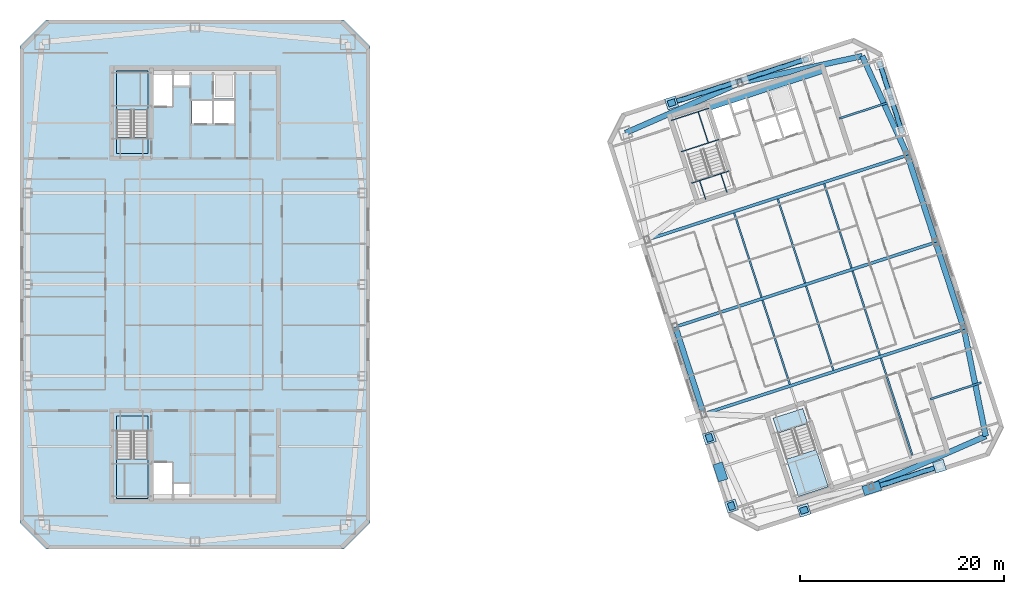
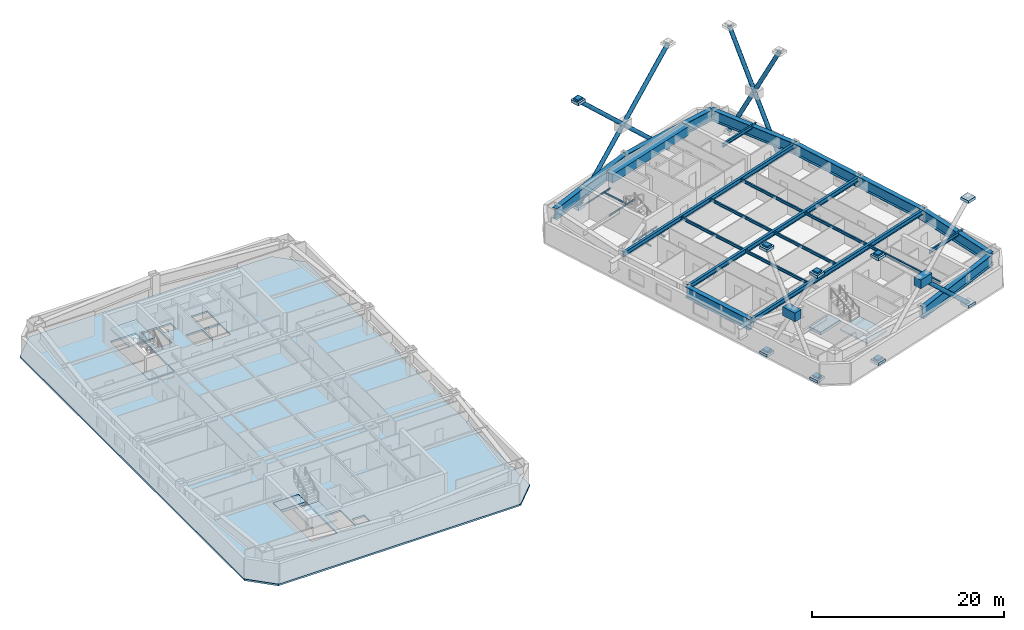
# One storey, part 4 of 15: 27 beams, 20 plates, 9 members, 7 slabs, 3 elements without a shape of their own.
"""IFC4 building model written with IfcOpenShell, lengths in metres."""

from ifc_helpers import new_model, si_unit, direction, frame, origin, origin_2d, place, context, subcontext, project, spatial, polyline, rectangle, hollow_circle, i_section, outline, extrude, material, layer, layer_set, material_profile, profile_set, type_object, element, aggregate, save


model = new_model("IFC4")

# Units and contexts
model_context = context("Model", 3, precision=1e-05, world=origin(), true_north=direction((0.0, 1.0)))
body_context = subcontext(model_context, "Body", "Model", "MODEL_VIEW")
ifc_project = project(units=[si_unit("LENGTHUNIT", "METRE"), si_unit("AREAUNIT", "SQUARE_METRE"), si_unit("VOLUMEUNIT", "CUBIC_METRE"), si_unit("PLANEANGLEUNIT", "RADIAN"), si_unit("MASSUNIT", "GRAM", prefix="KILO")], contexts=[model_context])

# Site, building, storey
site_placement = place(None, origin())
site = spatial("IfcSite", under=ifc_project, at=site_placement, CompositionType="ELEMENT")
building_placement = place(site_placement, origin())
building = spatial("IfcBuilding", under=site, at=building_placement, Name="Qiaolan Cultural Towers", CompositionType="ELEMENT")
storey_placement = place(building_placement, frame((0.0, 0.0, 212.75)))
storey = spatial("IfcBuildingStorey", under=building, at=storey_placement, Name="L57", CompositionType="ELEMENT", Elevation=212.75)

# Beams
ifc_material_1 = material(Name="Steel Q420GJB", Category="steel")
ifc_material_profile_1 = material_profile(ifc_material_1, i_section(OverallWidth=0.550048828125, OverallDepth=1.39990234375, WebThickness=0.031982421875, FlangeThickness=0.050048828125, at=origin_2d()), Name="BH1400x550x32x50")
ifc_profile_set_1 = profile_set([ifc_material_profile_1], Name="Steel Q420GJB")
beam_type_1 = type_object("IfcBeamType", Name="BM-BH1400x550x32x50", PredefinedType="BEAM", material=ifc_profile_set_1)
beam_1_placement = place(storey_placement, frame((96.443115234375, 14.17041015625, 2.469970703125), z_axis=(0.916042038824, 0.401082264762, 0.0), x_axis=(-0.401082264762, 0.916042038824, 0.0)))
element("IfcBeam", 1, at=beam_1_placement, inside=storey, type_object=beam_type_1, Name="L57 T2 Perimeter Spandrel Beam 2", PredefinedType="BEAM", context=body_context, shape_type="SweptSolid", body=[
    extrude(i_section(OverallWidth=0.550048828125, OverallDepth=1.39990234375, WebThickness=0.031982421875, FlangeThickness=0.050048828125, at=origin_2d()), origin(), (0.0, 0.0, 1.0), 12.299560546875),
])
beam_2_placement = place(storey_placement, frame((107.7099609375, 19.103515625, 2.469970703125), z_axis=(-0.199578538116, 0.979881833245, 0.0), x_axis=(-0.979881833245, -0.199578538116, 0.0)))
element("IfcBeam", 2, at=beam_2_placement, inside=storey, type_object=beam_type_1, Name="L57 T2 Perimeter Spandrel Beam 3", PredefinedType="BEAM", context=body_context, shape_type="SweptSolid", body=[
    extrude(i_section(OverallWidth=0.550048828125, OverallDepth=1.39990234375, WebThickness=0.031982421875, FlangeThickness=0.050048828125, at=origin_2d()), origin(), (0.0, 0.0, 1.0), 10.70849609375),
])
for number, where, z_axis, x_axis, name in (
    (3, (105.57275390625, 29.5966796875, 2.469970703125), (-0.309000197986, 0.951061973609, 0.0), (-0.951061973609, -0.309000197986, 0.0), "L57 T2 Perimeter Spandrel Beam 4"),
    (4, (102.791748046875, 38.15625, 2.469970703125), (-0.309024734286, 0.951054001411, 0.0), (-0.951054001411, -0.309024734286, 0.0), "L57 T2 Perimeter Spandrel Beam 5"),
):
    element("IfcBeam", number, at=place(storey_placement, frame(where, z_axis=z_axis, x_axis=x_axis)), inside=storey, type_object=beam_type_1, Name=name, PredefinedType="BEAM", context=body_context, shape_type="SweptSolid", body=[
        extrude(i_section(OverallWidth=0.550048828125, OverallDepth=1.39990234375, WebThickness=0.031982421875, FlangeThickness=0.050048828125, at=origin_2d()), origin(), (0.0, 0.0, 1.0), 9.0),
    ])
beam_3_placement = place(storey_placement, frame((100.010498046875, 46.7158203125, 2.469970703125), z_axis=(-0.414500208282, 0.910049216985, 0.0), x_axis=(-0.910049216985, -0.414500208282, 0.0)))
element("IfcBeam", 5, at=beam_3_placement, inside=storey, type_object=beam_type_1, Name="L57 T2 Perimeter Spandrel Beam 6", PredefinedType="BEAM", context=body_context, shape_type="SweptSolid", body=[
    extrude(i_section(OverallWidth=0.550048828125, OverallDepth=1.39990234375, WebThickness=0.031982421875, FlangeThickness=0.050048828125, at=origin_2d()), origin(), (0.0, 0.0, 1.0), 10.70849609375),
])
beam_4_placement = place(storey_placement, frame((95.57177734375, 56.461181640625, 2.469970703125), z_axis=(-0.976843395078, -0.213955559619, 0.0), x_axis=(0.213955559619, -0.976843395078, 0.0)))
element("IfcBeam", 6, at=beam_4_placement, inside=storey, type_object=beam_type_1, Name="L57 T2 Perimeter Spandrel Beam 7", PredefinedType="BEAM", context=body_context, shape_type="SweptSolid", body=[
    extrude(i_section(OverallWidth=0.550048828125, OverallDepth=1.39990234375, WebThickness=0.031982421875, FlangeThickness=0.050048828125, at=origin_2d()), origin(), (0.0, 0.0, 1.0), 12.2998046875),
])
beam_5_placement = place(storey_placement, frame((83.556884765625, 53.82958984375, 2.469970703125), z_axis=(-0.916042038824, -0.401082264762, 0.0), x_axis=(0.401082264762, -0.916042038824, 0.0)))
element("IfcBeam", 7, at=beam_5_placement, inside=storey, type_object=beam_type_1, Name="L57 T2 Perimeter Spandrel Beam 8", PredefinedType="BEAM", context=body_context, shape_type="SweptSolid", body=[
    extrude(i_section(OverallWidth=0.550048828125, OverallDepth=1.39990234375, WebThickness=0.031982421875, FlangeThickness=0.050048828125, at=origin_2d()), origin(), (0.0, 0.0, 1.0), 12.299560546875),
])
beam_6_placement = place(storey_placement, frame((77.208251953125, 29.84375, 2.469970703125), z_axis=(0.309024734286, -0.951054001411, 0.0), x_axis=(0.951054001411, 0.309024734286, 0.0)))
element("IfcBeam", 8, at=beam_6_placement, inside=storey, type_object=beam_type_1, Name="L57 T2 Perimeter Spandrel Beam 11", PredefinedType="BEAM", context=body_context, shape_type="SweptSolid", body=[
    extrude(i_section(OverallWidth=0.550048828125, OverallDepth=1.39990234375, WebThickness=0.031982421875, FlangeThickness=0.050048828125, at=origin_2d()), origin(), (0.0, 0.0, 1.0), 9.0),
])
ifc_material_2 = material(Name="Steel Q355B", Category="steel")
ifc_material_profile_2 = material_profile(ifc_material_2, i_section(OverallWidth=0.300048828125, OverallDepth=0.587890625, WebThickness=0.011962890625, FlangeThickness=0.02001953125, at=origin_2d()), Name="HM588x300x12x20")
ifc_profile_set_2 = profile_set([ifc_material_profile_2], Name="Steel Q355B")
beam_type_2 = type_object("IfcBeamType", Name="BM-HM588x300x12x20", PredefinedType="BEAM", material=ifc_profile_set_2)
beam_7_placement = place(storey_placement, frame((79.989501953125, 21.2841796875, 2.8759765625), z_axis=(0.951056543098, 0.309016911884, 0.0), x_axis=(-0.309016911884, 0.951056543098, 0.0)))
element("IfcBeam", 9, at=beam_7_placement, inside=storey, type_object=beam_type_2, Name="L57 T2 Primary Transverse Girder V1", PredefinedType="BEAM", context=body_context, shape_type="SweptSolid", body=[
    extrude(i_section(OverallWidth=0.300048828125, OverallDepth=0.587890625, WebThickness=0.011962890625, FlangeThickness=0.02001953125, at=origin_2d()), origin(), (0.0, 0.0, 1.0), 26.89990234375),
])
beam_8_placement = place(storey_placement, frame((77.208251953125, 29.84375, 2.8759765625), z_axis=(0.95105740976, 0.309014244561, 0.0), x_axis=(-0.309014244561, 0.95105740976, 0.0)))
element("IfcBeam", 10, at=beam_8_placement, inside=storey, type_object=beam_type_2, Name="L57 T2 Primary Transverse Girder V2", PredefinedType="BEAM", context=body_context, shape_type="SweptSolid", body=[
    extrude(i_section(OverallWidth=0.300048828125, OverallDepth=0.587890625, WebThickness=0.011962890625, FlangeThickness=0.02001953125, at=origin_2d()), origin(), (0.0, 0.0, 1.0), 26.900146484375),
])
beam_9_placement = place(storey_placement, frame((74.42724609375, 38.4033203125, 2.8759765625), z_axis=(0.951056543098, 0.309016911884, 0.0), x_axis=(-0.309016911884, 0.951056543098, 0.0)))
element("IfcBeam", 11, at=beam_9_placement, inside=storey, type_object=beam_type_2, Name="L57 T2 Primary Transverse Girder V3", PredefinedType="BEAM", context=body_context, shape_type="SweptSolid", body=[
    extrude(i_section(OverallWidth=0.300048828125, OverallDepth=0.587890625, WebThickness=0.011962890625, FlangeThickness=0.02001953125, at=origin_2d()), origin(), (0.0, 0.0, 1.0), 26.89990234375),
])
ifc_material_3 = material(Name="Steel Q355B", Category="steel")
ifc_material_profile_3 = material_profile(ifc_material_3, i_section(OverallWidth=0.175048828125, OverallDepth=0.35009765625, WebThickness=0.007080078125, FlangeThickness=0.010986328125, at=origin_2d()), Name="HN350x175x7x11")
ifc_profile_set_3 = profile_set([ifc_material_profile_3], Name="Steel Q355B")
beam_type_3 = type_object("IfcBeamType", Name="BM-JST-HN350x175x7x11", PredefinedType="JOIST", material=ifc_profile_set_3)
for number, where, z_axis, x_axis, name in (
    (12, (88.455078125, 24.192626953125, 2.9951171875), (-0.309020714809, 0.951055307445, 0.0), (-0.951055307445, -0.309020714809, 0.0), "L57 T2 Secondary Floor Joist U1-2"),
    (13, (85.673828125, 32.752197265625, 2.9951171875), (-0.309020714809, 0.951055307445, 0.0), (-0.951055307445, -0.309020714809, 0.0), "L57 T2 Secondary Floor Joist U1-3"),
    (14, (92.73486328125, 25.583251953125, 2.9951171875), (-0.309020714809, 0.951055307445, 0.0), (-0.951055307445, -0.309020714809, 0.0), "L57 T2 Secondary Floor Joist U2-2"),
    (15, (89.95361328125, 34.142578125, 2.9951171875), (-0.309020714809, 0.951055307445, 0.0), (-0.951055307445, -0.309020714809, 0.0), "L57 T2 Secondary Floor Joist U2-3"),
):
    element("IfcBeam", number, at=place(storey_placement, frame(where, z_axis=z_axis, x_axis=x_axis)), inside=storey, type_object=beam_type_3, Name=name, PredefinedType="JOIST", context=body_context, shape_type="SweptSolid", body=[
        extrude(i_section(OverallWidth=0.175048828125, OverallDepth=0.35009765625, WebThickness=0.007080078125, FlangeThickness=0.010986328125, at=origin_2d()), origin(), (0.0, 0.0, 1.0), 8.699951171875),
    ])
beam_10_placement = place(storey_placement, frame((100.498291015625, 17.222900390625, 2.9951171875), z_axis=(-0.309025649293, 0.951053704098, 0.0), x_axis=(-0.951053704098, -0.309025649293, 0.0)))
element("IfcBeam", 16, at=beam_10_placement, inside=storey, type_object=beam_type_3, Name="L57 T2 Secondary Floor Joist U3-1", PredefinedType="JOIST", context=body_context, shape_type="SweptSolid", body=[
    extrude(i_section(OverallWidth=0.175048828125, OverallDepth=0.35009765625, WebThickness=0.007080078125, FlangeThickness=0.010986328125, at=origin_2d()), origin(), (0.0, 0.0, 1.0), 10.050048828125),
])
for number, where, z_axis, x_axis, name in (
    (17, (97.2998046875, 27.06640625, 2.9951171875), (-0.309020714809, 0.951055307445, 0.0), (-0.951055307445, -0.309020714809, 0.0), "L57 T2 Secondary Floor Joist U3-2"),
    (18, (94.518798828125, 35.6259765625, 2.9951171875), (-0.309020714809, 0.951055307445, 0.0), (-0.951055307445, -0.309020714809, 0.0), "L57 T2 Secondary Floor Joist U3-3"),
):
    element("IfcBeam", number, at=place(storey_placement, frame(where, z_axis=z_axis, x_axis=x_axis)), inside=storey, type_object=beam_type_3, Name=name, PredefinedType="JOIST", context=body_context, shape_type="SweptSolid", body=[
        extrude(i_section(OverallWidth=0.175048828125, OverallDepth=0.35009765625, WebThickness=0.007080078125, FlangeThickness=0.010986328125, at=origin_2d()), origin(), (0.0, 0.0, 1.0), 8.699951171875),
    ])
ifc_material_4 = material(Name="Steel Q355B", Category="steel")
ifc_material_profile_4 = material_profile(ifc_material_4, i_section(OverallWidth=0.199951171875, OverallDepth=0.449951171875, WebThickness=0.009033203125, FlangeThickness=0.013916015625, at=origin_2d()), Name="HN450x200x9x14")
ifc_profile_set_4 = profile_set([ifc_material_profile_4], Name="Steel Q355B")
beam_type_4 = type_object("IfcBeamType", Name="BM-LNT-HN450x200x9x14", PredefinedType="LINTEL", material=ifc_profile_set_4)
for number, where, z_axis, x_axis, name in (
    (19, (102.279296875, 22.74365234375, 2.945068359375), (0.951060037126, 0.309006158161, 0.0), (-0.309006158161, 0.951060037126, 0.0), "L57 T2 Core Flank Tie Lintel ES"),
    (20, (93.31787109375, 50.32421875, 2.945068359375), (0.951060037126, 0.309006158161, 0.0), (-0.309006158161, 0.951060037126, 0.0), "L57 T2 Core Flank Tie Lintel EN"),
):
    element("IfcBeam", number, at=place(storey_placement, frame(where, z_axis=z_axis, x_axis=x_axis)), inside=storey, type_object=beam_type_4, Name=name, PredefinedType="LINTEL", context=body_context, shape_type="SweptSolid", body=[
        extrude(i_section(OverallWidth=0.199951171875, OverallDepth=0.449951171875, WebThickness=0.009033203125, FlangeThickness=0.013916015625, at=origin_2d()), origin(), (0.0, 0.0, 1.0), 5.25),
    ])
ifc_material_5 = material(Name="Concrete C50", Category="concrete")
ifc_material_profile_5 = material_profile(ifc_material_5, rectangle(XDim=0.89990234375, YDim=1.10009765625, at=origin_2d()), Name="RC900x1100")
ifc_profile_set_5 = profile_set([ifc_material_profile_5], Name="Concrete C50")
beam_type_5 = type_object("IfcBeamType", Name="BM-RC900x1100", PredefinedType="BEAM", material=ifc_profile_set_5)
beam_11_placement = place(storey_placement, frame((80.427978515625, 51.551025390625, 2.6201171875), z_axis=(0.951056266386, 0.309017763514, 0.0), x_axis=(-0.309017763514, 0.951056266386, 0.0)))
element("IfcBeam", 21, at=beam_11_placement, inside=storey, type_object=beam_type_5, Name="L57 T2 Core Header Girder N", PredefinedType="BEAM", context=body_context, shape_type="SweptSolid", body=[
    extrude(rectangle(XDim=0.89990234375, YDim=1.10009765625, at=origin_2d()), origin(), (0.0, 0.0, 1.0), 11.880126953125),
])
ifc_material_6 = material(Name="Steel Q355B", Category="steel")
ifc_material_profile_6 = material_profile(ifc_material_6, i_section(OverallWidth=0.10009765625, OverallDepth=0.199951171875, WebThickness=0.005615234375, FlangeThickness=0.008056640625, at=origin_2d()), Name="HN200x100x5.5x8")
ifc_profile_set_6 = profile_set([ifc_material_profile_6], Name="Steel Q355B")
beam_type_6 = type_object("IfcBeamType", Name="BM-STTRIM-200", PredefinedType="BEAM", material=ifc_profile_set_6)
beam_12_placement = place(storey_placement, frame((78.773193359375, 43.958251953125, -0.4599609375), z_axis=(0.951072048947, 0.3089691857, 0.0), x_axis=(-0.3089691857, 0.951072048947, 0.0)))
element("IfcBeam", 22, at=beam_12_placement, inside=storey, type_object=beam_type_6, Name="L57 ST-E2 Floor Landing Header Beam", PredefinedType="BEAM", context=body_context, shape_type="SweptSolid", body=[
    extrude(i_section(OverallWidth=0.10009765625, OverallDepth=0.199951171875, WebThickness=0.005615234375, FlangeThickness=0.008056640625, at=origin_2d()), origin(), (0.0, 0.0, 1.0), 3.920166015625),
])
for number, where, z_axis, x_axis, name in (
    (23, (80.18115234375, 42.375732421875, -0.4599609375), (-0.308969394428, 0.951071981138, 0.0), (-0.951071981138, -0.308969394428, 0.0), "L57 ST-E2 Floor Landing Stringer 1"),
    (24, (82.2734375, 43.0556640625, -0.4599609375), (-0.308969394428, 0.951071981138, 0.0), (-0.951071981138, -0.308969394428, 0.0), "L57 ST-E2 Floor Landing Stringer 2"),
):
    element("IfcBeam", number, at=place(storey_placement, frame(where, z_axis=z_axis, x_axis=x_axis)), inside=storey, type_object=beam_type_6, Name=name, PredefinedType="BEAM", context=body_context, shape_type="SweptSolid", body=[
        extrude(i_section(OverallWidth=0.10009765625, OverallDepth=0.199951171875, WebThickness=0.005615234375, FlangeThickness=0.008056640625, at=origin_2d()), origin(), (0.0, 0.0, 1.0), 1.93994140625),
    ])
for number, where, z_axis, x_axis, name in (
    (25, (77.769287109375, 47.0478515625, 1.425048828125), (0.951053746643, 0.309025518358, 0.0), (-0.309025518358, 0.951053746643, 0.0), "L57 ST-E2 Stair Landing Support Beam 1-1"),
    (26, (76.770751953125, 50.12109375, 1.425048828125), (0.951072048947, 0.3089691857, 0.0), (-0.3089691857, 0.951072048947, 0.0), "L57 ST-E2 Stair Landing Support Beam 1-2"),
):
    element("IfcBeam", number, at=place(storey_placement, frame(where, z_axis=z_axis, x_axis=x_axis)), inside=storey, type_object=beam_type_6, Name=name, PredefinedType="BEAM", context=body_context, shape_type="SweptSolid", body=[
        extrude(i_section(OverallWidth=0.10009765625, OverallDepth=0.199951171875, WebThickness=0.005615234375, FlangeThickness=0.008056640625, at=origin_2d()), origin(), (0.0, 0.0, 1.0), 3.920166015625),
    ])
beam_13_placement = place(storey_placement, frame((80.44189453125, 47.916259765625, 1.425048828125), z_axis=(-0.309033108495, 0.951051280349, 0.0), x_axis=(-0.951051280349, -0.309033108495, 0.0)))
element("IfcBeam", 27, at=beam_13_placement, inside=storey, type_object=beam_type_6, Name="L57 ST-E2 Stair Landing Trimmer 1", PredefinedType="BEAM", context=body_context, shape_type="SweptSolid", body=[
    extrude(i_section(OverallWidth=0.10009765625, OverallDepth=0.199951171875, WebThickness=0.005615234375, FlangeThickness=0.008056640625, at=origin_2d()), origin(), (0.0, 0.0, 1.0), 3.231201171875),
])

# Members
ifc_material_7 = material(Name="Steel Q355B", Category="steel")
ifc_material_profile_7 = material_profile(ifc_material_7, hollow_circle(Radius=0.25, WallThickness=0.02490234375, at=origin_2d()), Name="CHS500x25")
ifc_profile_set_7 = profile_set([ifc_material_profile_7], Name="Steel Q355B")
member_type = type_object("IfcMemberType", Name="MBR-BRC-CHS500x25", PredefinedType="BRACE", material=ifc_profile_set_7)
for number, where, z_axis, x_axis, name in (
    (28, (99.459228515625, 49.06005859375, 0.14990234375), (-0.144310823552, 0.444122866209, 0.884267643825), (-0.951052389726, -0.30902969436, 0.0), "T2 EAST Perimeter Frame Diagonal E-Z4-M2-D1A"),
    (29, (98.369873046875, 52.41259765625, 6.824951171875), (-0.144310823552, 0.444122866209, 0.884267643825), (-0.951052389726, -0.30902969436, 0.0), "T2 EAST Perimeter Frame Diagonal E-Z4-M2-D1B"),
    (30, (97.280517578125, 55.76513671875, 0.14990234375), (0.144310823552, -0.444122866209, 0.884267643825), (0.951052389726, 0.30902969436, 0.0), "T2 EAST Perimeter Frame Diagonal E-Z4-M2-D2A"),
    (31, (98.369873046875, 52.41259765625, 6.824951171875), (0.144310823552, -0.444122866209, 0.884267643825), (0.951052389726, 0.30902969436, 0.0), "T2 EAST Perimeter Frame Diagonal E-Z4-M2-D2B"),
):
    element("IfcMember", number, at=place(storey_placement, frame(where, z_axis=z_axis, x_axis=x_axis)), inside=storey, type_object=member_type, Name=name, PredefinedType="BRACE", context=body_context, shape_type="SweptSolid", body=[
        extrude(hollow_circle(Radius=0.25, WallThickness=0.02490234375, at=origin_2d()), origin(), (0.0, 0.0, 1.0), 7.548583984375),
    ])
for number, where, z_axis, x_axis, name in (
    (32, (103.162109375, 16.143310546875, 0.14990234375), (-0.688275686288, -0.223636591628, 0.690118290259), (0.309019824916, -0.951055596592, 0.0), "T2 SOUTH Perimeter Frame Diagonal E-Z4-M2-D2A"),
    (33, (76.837890625, 51.856689453125, 0.14990234375), (0.688275686288, 0.223636591628, 0.690118290259), (-0.309019824916, 0.951055596592, 0.0), "T2 NORTH Perimeter Frame Diagonal E-Z4-M2-D1A"),
):
    element("IfcMember", number, at=place(storey_placement, frame(where, z_axis=z_axis, x_axis=x_axis)), inside=storey, type_object=member_type, Name=name, PredefinedType="BRACE", context=body_context, shape_type="SweptSolid", body=[
        extrude(hollow_circle(Radius=0.25, WallThickness=0.02490234375, at=origin_2d()), origin(), (0.0, 0.0, 1.0), 9.67236328125),
    ])
for number, where, z_axis, x_axis, name in (
    (34, (83.4951171875, 54.019775390625, 6.824951171875), (0.688288969768, 0.223632706448, 0.690106301016), (-0.309009574742, 0.951058927048, 0.0), "T2 NORTH Perimeter Frame Diagonal E-Z4-M2-D1B"),
    (35, (90.152587890625, 56.182861328125, 0.14990234375), (-0.688288969768, -0.223632706448, 0.690106301016), (0.309009574742, -0.951058927048, 0.0), "T2 NORTH Perimeter Frame Diagonal E-Z4-M2-D2A"),
):
    element("IfcMember", number, at=place(storey_placement, frame(where, z_axis=z_axis, x_axis=x_axis)), inside=storey, type_object=member_type, Name=name, PredefinedType="BRACE", context=body_context, shape_type="SweptSolid", body=[
        extrude(hollow_circle(Radius=0.25, WallThickness=0.02490234375, at=origin_2d()), origin(), (0.0, 0.0, 1.0), 9.672607421875),
    ])
member_placement = place(storey_placement, frame((83.4951171875, 54.019775390625, 6.824951171875), z_axis=(-0.688275686288, -0.223636591628, 0.690118290259), x_axis=(0.309019824916, -0.951055596592, 0.0)))
element("IfcMember", 36, at=member_placement, inside=storey, type_object=member_type, Name="T2 NORTH Perimeter Frame Diagonal E-Z4-M2-D2B", PredefinedType="BRACE", context=body_context, shape_type="SweptSolid", body=[
    extrude(hollow_circle(Radius=0.25, WallThickness=0.02490234375, at=origin_2d()), origin(), (0.0, 0.0, 1.0), 9.67236328125),
])

# Plates
ifc_material_8 = material(Name="Steel Q355B", Category="steel")
ifc_layer_1 = layer(ifc_material_8, 0.035888671875)
ifc_layer_set_1 = layer_set([ifc_layer_1], Name="Steel Q355B")
plate_type_1 = type_object("IfcPlateType", Name="PL-CONN-36", PredefinedType="USERDEFINED", material=ifc_layer_set_1)
for number, where, z_axis, x_axis, name in (
    (37, (82.719482421875, 12.23486328125, -0.22021484375), (0.0, 0.0, 1.0), (-0.309016994375, 0.951056516295, 0.0), "L57 Brace End Connection Gusset Plate GP-02-0572"),
    (38, (80.540771484375, 18.93994140625, 13.1298828125), (0.0, 0.0, 1.0), (-0.309016994375, 0.951056516295, 0.0), "L57 Brace End Connection Gusset Plate GP-02-0573"),
    (39, (80.540771484375, 18.93994140625, -0.22021484375), (0.0, 0.0, 1.0), (-0.309016994375, 0.951056516295, 0.0), "L57 Brace End Connection Gusset Plate GP-02-0574"),
    (40, (82.719482421875, 12.23486328125, 13.1298828125), (0.0, 0.0, 1.0), (-0.309016994375, 0.951056516295, 0.0), "L57 Brace End Connection Gusset Plate GP-02-0575"),
    (41, (89.847412109375, 11.817138671875, -0.22021484375), (0.0, 0.0, 1.0), (0.951056510902, 0.309017010974, 0.0), "L57 Brace End Connection Gusset Plate GP-02-0580"),
    (42, (89.847412109375, 11.817138671875, 13.1298828125), (0.0, 0.0, 1.0), (0.951056510902, 0.309017010974, 0.0), "L57 Brace End Connection Gusset Plate GP-02-0583"),
    (43, (76.837890625, 51.856689453125, -0.22021484375), (0.0, 0.0, 1.0), (0.951056510902, 0.309017010974, 0.0), "L57 Brace End Connection Gusset Plate GP-02-0584"),
    (44, (76.837890625, 51.856689453125, 13.1298828125), (0.0, 0.0, 1.0), (0.951056510902, 0.309017010974, 0.0), "L57 Brace End Connection Gusset Plate GP-02-0587"),
):
    element("IfcPlate", number, at=place(storey_placement, frame(where, z_axis=z_axis, x_axis=x_axis)), inside=storey, type_object=plate_type_1, Name=name, ObjectType="GUSSET_PLATE", PredefinedType="USERDEFINED", context=body_context, shape_type="SweptSolid", body=[
        extrude(rectangle(XDim=0.739990234375, YDim=0.6201171875, at=origin_2d()), origin(), (0.0, 0.0, 1.0), 0.739990234375),
    ])
ifc_material_9 = material(Name="Steel Q355B", Category="steel")
ifc_layer_2 = layer(ifc_material_9, 0.030029296875)
ifc_layer_set_2 = layer_set([ifc_layer_2], Name="Steel Q355B")
plate_type_2 = type_object("IfcPlateType", Name="PL-ENDCAP-30", PredefinedType="USERDEFINED", material=ifc_layer_set_2)
for number, where, z_axis, x_axis, name in (
    (45, (82.719482421875, 12.23486328125, -0.025146484375), (0.0, 0.0, 1.0), (-0.309016994375, 0.951056516295, 0.0), "Hollow Brace End Seal Cap Plate CP-01"),
    (46, (80.540771484375, 18.93994140625, -0.025146484375), (0.0, 0.0, 1.0), (-0.309016994375, 0.951056516295, 0.0), "Hollow Brace End Seal Cap Plate CP-01"),
    (47, (82.719482421875, 12.23486328125, 13.324951171875), (0.0, 0.0, 1.0), (-0.309016994375, 0.951056516295, 0.0), "Hollow Brace End Seal Cap Plate CP-01"),
    (48, (80.540771484375, 18.93994140625, 13.324951171875), (0.0, 0.0, 1.0), (-0.309016994375, 0.951056516295, 0.0), "Hollow Brace End Seal Cap Plate CP-01"),
    (49, (89.847412109375, 11.817138671875, -0.025146484375), (0.0, 0.0, 1.0), (0.951056516295, 0.309016994375, 0.0), "Hollow Brace End Seal Cap Plate CP-01"),
    (50, (103.162109375, 16.143310546875, -0.025146484375), (0.0, 0.0, 1.0), (0.951056516295, 0.309016994375, 0.0), "Hollow Brace End Seal Cap Plate CP-01"),
    (51, (89.847412109375, 11.817138671875, 13.324951171875), (0.0, 0.0, 1.0), (0.951056516295, 0.309016994375, 0.0), "Hollow Brace End Seal Cap Plate CP-01"),
    (52, (103.162109375, 16.143310546875, 13.324951171875), (0.0, 0.0, 1.0), (0.951056516295, 0.309016994375, 0.0), "Hollow Brace End Seal Cap Plate CP-01"),
    (53, (76.837890625, 51.856689453125, -0.025146484375), (0.0, 0.0, 1.0), (0.951056516295, 0.309016994375, 0.0), "Hollow Brace End Seal Cap Plate CP-01"),
    (54, (76.837890625, 51.856689453125, 13.324951171875), (0.0, 0.0, 1.0), (0.951056516295, 0.309016994375, 0.0), "Hollow Brace End Seal Cap Plate CP-01"),
):
    element("IfcPlate", number, at=place(storey_placement, frame(where, z_axis=z_axis, x_axis=x_axis)), inside=storey, type_object=plate_type_2, Name=name, ObjectType="BASE_PLATE", PredefinedType="USERDEFINED", context=body_context, shape_type="SweptSolid", body=[
        extrude(rectangle(XDim=1.10009765625, YDim=1.10009765625, at=origin_2d()), origin(), (0.0, 0.0, 1.0), 0.35009765625),
    ])
ifc_material_10 = material(Name="Steel Q390GJB", Category="steel")
ifc_layer_3 = layer(ifc_material_10, 0.0439453125)
ifc_layer_set_3 = layer_set([ifc_layer_3], Name="Steel Q390GJB")
plate_type_3 = type_object("IfcPlateType", Name="PL-NODE-ND10", PredefinedType="USERDEFINED", material=ifc_layer_set_3)
plate_1_placement = place(storey_placement, frame((81.630126953125, 15.58740234375, 6.27490234375), z_axis=(0.0, 0.0, 1.0), x_axis=(-0.309016994375, 0.951056516295, 0.0)))
element("IfcPlate", 55, at=plate_1_placement, inside=storey, type_object=plate_type_3, Name="Perimeter Frame Gusset Node Assembly ND-10", ObjectType="GUSSET_PLATE", PredefinedType="USERDEFINED", context=body_context, shape_type="SweptSolid", body=[
    extrude(rectangle(XDim=1.760009765625, YDim=0.9599609375, at=origin_2d()), origin(), (0.0, 0.0, 1.0), 1.10009765625),
])
ifc_material_11 = material(Name="Steel Q390GJB", Category="steel")
ifc_layer_4 = layer(ifc_material_11, 0.0400390625)
ifc_layer_set_4 = layer_set([ifc_layer_4], Name="Steel Q390GJB")
plate_type_4 = type_object("IfcPlateType", Name="PL-NODE-ND12", PredefinedType="USERDEFINED", material=ifc_layer_set_4)
plate_2_placement = place(storey_placement, frame((96.5048828125, 13.980224609375, 6.27490234375), z_axis=(0.0, 0.0, 1.0), x_axis=(0.951056516295, 0.309016994375, 0.0)))
element("IfcPlate", 56, at=plate_2_placement, inside=storey, type_object=plate_type_4, Name="Perimeter Frame Gusset Node Assembly ND-12", ObjectType="GUSSET_PLATE", PredefinedType="USERDEFINED", context=body_context, shape_type="SweptSolid", body=[
    extrude(rectangle(XDim=1.760009765625, YDim=0.9599609375, at=origin_2d()), origin(), (0.0, 0.0, 1.0), 1.10009765625),
])

# Stair, slab
ifc_material_12 = material(Name="Concrete C45", Category="concrete")
stair_type = type_object("IfcStairType", Name="STR-CORE-1500", PredefinedType="HALF_TURN_STAIR", material=ifc_material_12)
stair_1_placement = place(storey_placement, origin())
stair_1 = element("IfcStair", 57, at=stair_1_placement, inside=storey, type_object=stair_type, Name="L57 Smokeproof Exit Stair ST-W1", PredefinedType="HALF_TURN_STAIR")
ifc_material_13 = material(Name="Concrete C45", Category="concrete")
ifc_layer_5 = layer(ifc_material_13, 0.199951171875)
ifc_layer_set_5 = layer_set([ifc_layer_5], Name="Concrete C45")
slab_type_1 = type_object("IfcSlabType", Name="SL-STAIR-LAND", PredefinedType="LANDING", material=ifc_layer_set_5)
slab_1_placement = place(storey_placement, frame((0.0, 0.0, 1.52490234375)))
slab_1 = element("IfcSlab", 58, at=slab_1_placement, type_object=slab_type_1, Name="ST-W1 landing 1", PredefinedType="LANDING", context=body_context, shape_type="SweptSolid", body=[
    extrude(outline(polyline([(22.300048828125, 16.851318359375), (22.300048828125, 13.0), (25.3798828125, 13.0), (25.3798828125, 16.851318359375), (22.300048828125, 16.851318359375)])), origin(), (0.0, 0.0, 1.0), 0.2001953125),
])
aggregate(stair_1, [slab_1])

stair_2_placement = place(storey_placement, origin())
stair_2 = element("IfcStair", 59, at=stair_2_placement, inside=storey, type_object=stair_type, Name="L57 Smokeproof Exit Stair ST-W2", PredefinedType="HALF_TURN_STAIR")
slab_2_placement = place(storey_placement, frame((0.0, 0.0, 1.52490234375)))
slab_2 = element("IfcSlab", 60, at=slab_2_placement, type_object=slab_type_1, Name="ST-W2 landing 1", PredefinedType="LANDING", context=body_context, shape_type="SweptSolid", body=[
    extrude(outline(polyline([(25.3798828125, 51.148681640625), (25.3798828125, 55.0), (22.300048828125, 55.0), (22.300048828125, 51.148681640625), (25.3798828125, 51.148681640625)])), origin(), (0.0, 0.0, 1.0), 0.2001953125),
])
aggregate(stair_2, [slab_2])

stair_3_placement = place(storey_placement, origin())
stair_3 = element("IfcStair", 61, at=stair_3_placement, inside=storey, type_object=stair_type, Name="L57 Smokeproof Exit Stair ST-E1", PredefinedType="HALF_TURN_STAIR")
slab_3_placement = place(storey_placement, frame((0.0, 0.0, 1.52490234375)))
slab_3 = element("IfcSlab", 62, at=slab_3_placement, type_object=slab_type_1, Name="ST-E1 landing 1", PredefinedType="LANDING", context=body_context, shape_type="SweptSolid", body=[
    extrude(outline(polyline([(88.114013671875, 16.828125), (89.30419921875, 13.165283203125), (92.2333984375, 14.116943359375), (91.04345703125, 17.77978515625), (88.114013671875, 16.828125)])), origin(), (0.0, 0.0, 1.0), 0.2001953125),
])
aggregate(stair_3, [slab_3])

# Slabs
ifc_material_14 = material(Name="Concrete C40", Category="concrete")
ifc_layer_6 = layer(ifc_material_14, 0.360107421875)
ifc_layer_set_6 = layer_set([ifc_layer_6], Name="Concrete C40")
slab_type_2 = type_object("IfcSlabType", Name="SL-STFLR-360", PredefinedType="LANDING", material=ifc_layer_set_6)
slab_4_placement = place(storey_placement, frame((0.0, 0.0, -0.360107421875)))
element("IfcSlab", 63, at=slab_4_placement, inside=storey, type_object=slab_type_2, Name="L57 ST-W1 Stair Floor Landing Slab", PredefinedType="LANDING", context=body_context, shape_type="SweptSolid", body=[
    extrude(outline(polyline([(22.302001953125, 21.097900390625), (22.302001953125, 19.548583984375), (25.3779296875, 19.548583984375), (25.3779296875, 21.097900390625), (22.302001953125, 21.097900390625)])), origin(), (0.0, 0.0, 1.0), 0.360107421875),
])
slab_5_placement = place(storey_placement, frame((0.0, 0.0, -0.360107421875)))
element("IfcSlab", 64, at=slab_5_placement, inside=storey, type_object=slab_type_2, Name="L57 ST-W2 Stair Floor Landing Slab", PredefinedType="LANDING", context=body_context, shape_type="SweptSolid", body=[
    extrude(outline(polyline([(25.3779296875, 46.902099609375), (25.3779296875, 48.451416015625), (22.302001953125, 48.451416015625), (22.302001953125, 46.902099609375), (25.3779296875, 46.902099609375)])), origin(), (0.0, 0.0, 1.0), 0.360107421875),
])
slab_6_placement = place(storey_placement, frame((0.0, 0.0, -0.360107421875)))
element("IfcSlab", 65, at=slab_6_placement, inside=storey, type_object=slab_type_2, Name="L57 ST-E1 Stair Floor Landing Slab", PredefinedType="LANDING", context=body_context, shape_type="SweptSolid", body=[
    extrude(outline(polyline([(86.8037109375, 20.867431640625), (87.282470703125, 19.39404296875), (90.2080078125, 20.3447265625), (89.729248046875, 21.818115234375), (86.8037109375, 20.867431640625)])), origin(), (0.0, 0.0, 1.0), 0.360107421875),
])
ifc_material_15 = material(Name="Concrete C45", Category="concrete")
ifc_layer_7 = layer(ifc_material_15, 0.219970703125)
ifc_layer_set_7 = layer_set([ifc_layer_7], Name="Concrete C45")
slab_type_3 = type_object("IfcSlabType", Name="SL-TYP-220", PredefinedType="FLOOR", material=ifc_layer_set_7)
slab_7_placement = place(storey_placement, frame((0.0, 0.0, -0.219970703125)))
element("IfcSlab", 66, at=slab_7_placement, inside=storey, type_object=slab_type_3, Name="L57 West Tower Floor Slab", PredefinedType="FLOOR", context=body_context, shape_type="SweptSolid", body=[
    extrude(outline(polyline([(15.39990234375, 8.0), (44.60009765625, 8.0), (47.199951171875, 10.60009765625), (47.199951171875, 57.39990234375), (44.60009765625, 60.0), (15.39990234375, 60.0), (12.800048828125, 57.39990234375), (12.800048828125, 10.60009765625), (15.39990234375, 8.0)]), holes=[polyline([(22.300048828125, 21.10009765625), (22.300048828125, 13.0), (25.3798828125, 13.0), (25.3798828125, 21.10009765625), (22.300048828125, 21.10009765625)]), polyline([(25.3798828125, 46.89990234375), (25.3798828125, 55.0), (22.300048828125, 55.0), (22.300048828125, 46.89990234375), (25.3798828125, 46.89990234375)]), polyline([(25.89990234375, 13.199951171875), (27.75, 13.199951171875), (27.75, 16.449951171875), (25.89990234375, 16.449951171875), (25.89990234375, 13.199951171875)]), polyline([(27.93994140625, 13.25), (29.449951171875, 13.25), (29.449951171875, 14.419921875), (27.93994140625, 14.419921875), (27.93994140625, 13.25)]), polyline([(25.89990234375, 51.550048828125), (27.75, 51.550048828125), (27.75, 54.800048828125), (25.89990234375, 54.800048828125), (25.89990234375, 51.550048828125)]), polyline([(27.93994140625, 53.580078125), (29.449951171875, 53.580078125), (29.449951171875, 54.75), (27.93994140625, 54.75), (27.93994140625, 53.580078125)]), polyline([(29.679931640625, 49.820068359375), (31.679931640625, 49.820068359375), (31.679931640625, 52.080078125), (29.679931640625, 52.080078125), (29.679931640625, 49.820068359375)]), polyline([(31.8798828125, 49.820068359375), (33.820068359375, 49.820068359375), (33.820068359375, 52.080078125), (31.8798828125, 52.080078125), (31.8798828125, 49.820068359375)]), polyline([(31.8798828125, 52.27001953125), (33.820068359375, 52.27001953125), (33.820068359375, 54.75), (31.8798828125, 54.75), (31.8798828125, 52.27001953125)])]), origin(), (0.0, 0.0, 1.0), 0.219970703125),
])

save(model, "model.ifc")
